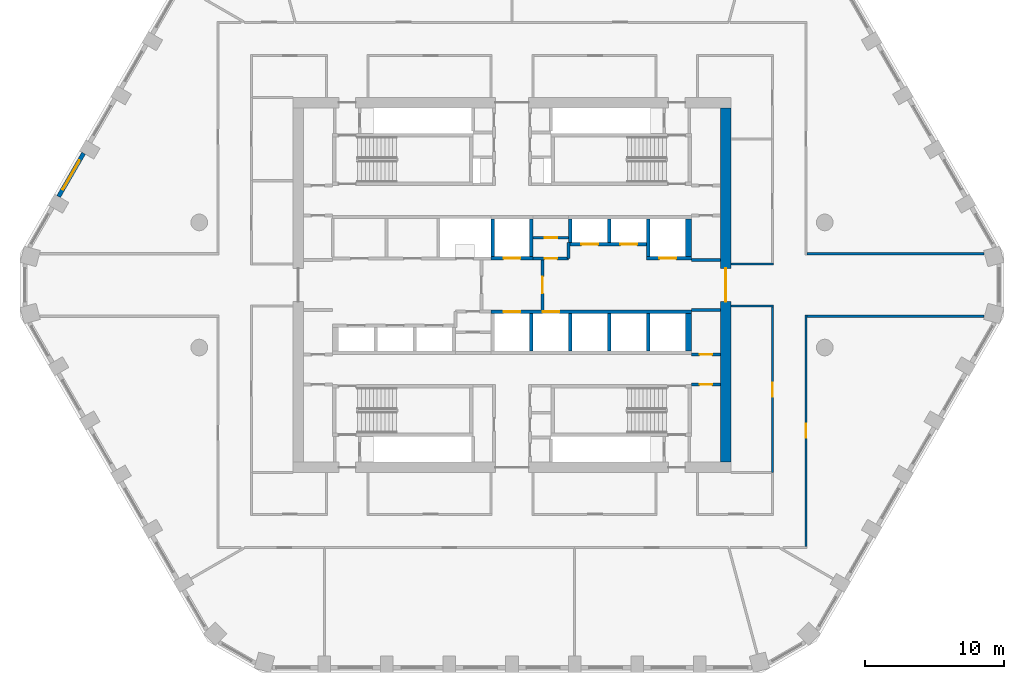
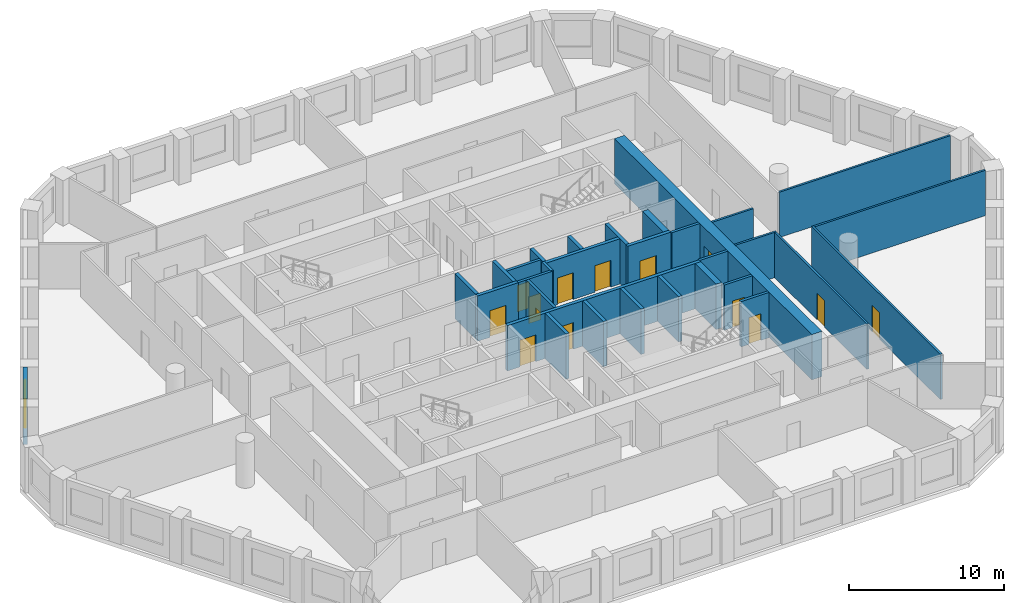
# One storey, part 5 of 10: 31 walls, 14 doors, 1 window, 15 openings.
"""IFC4 building model written with IfcOpenShell, lengths in metres."""

from ifc_helpers import new_model, si_unit, direction, frame, frame_2d, origin, place, context, subcontext, project, spatial, polyline, rectangle, outline, extrude, material, layer, layer_set, type_object, element, fill, save


model = new_model("IFC4")

# Units and contexts
model_context = context("Model", 3, precision=1e-05, world=origin(), true_north=direction((0.0, 1.0)))
body_context = subcontext(model_context, "Body", "Model", "MODEL_VIEW")
ifc_project = project(units=[si_unit("LENGTHUNIT", "METRE"), si_unit("AREAUNIT", "SQUARE_METRE"), si_unit("VOLUMEUNIT", "CUBIC_METRE"), si_unit("PLANEANGLEUNIT", "RADIAN"), si_unit("MASSUNIT", "GRAM", prefix="KILO")], contexts=[model_context])

# Site, building, storey
site_placement = place(None, origin())
site = spatial("IfcSite", under=ifc_project, at=site_placement, CompositionType="ELEMENT")
building_placement = place(site_placement, origin())
building = spatial("IfcBuilding", under=site, at=building_placement, Name="Dhurran Vertical Campus", CompositionType="ELEMENT")
storey_placement = place(building_placement, frame((0.0, 0.0, 148.199951171875)))
storey = spatial("IfcBuildingStorey", under=building, at=storey_placement, Name="L36", CompositionType="ELEMENT", Elevation=148.199951171875)

# Wall, opening, window
ifc_material_1 = material(Name="Precast concrete C50/60", Category="concrete")
ifc_layer_1 = layer(ifc_material_1, 0.300048828125)
ifc_layer_set_1 = layer_set([ifc_layer_1], Name="Precast concrete C50/60")
wall_type_1 = type_object("IfcWallType", Name="Precast spandrel wall 300", PredefinedType="SOLIDWALL", material=ifc_layer_set_1)
wall_1_placement = place(storey_placement, frame((-30.8193359375, 9.47900390625, 0.0), z_axis=(0.0, 0.0, 1.0), x_axis=(-0.500027802648, -0.866009351323, 0.0)))
wall_1 = element("IfcWall", 1, at=wall_1_placement, inside=storey, type_object=wall_type_1, Name="EW1 L36.36", PredefinedType="SOLIDWALL", context=body_context, shape_type="SweptSolid", body=[
    extrude(rectangle(XDim=3.598876953125, YDim=0.300048828125, at=frame_2d((1.79931640625, 0.0))), origin(), (0.0, 0.0, 1.0), 3.574951171875),
])
opening_1_placement = place(wall_1_placement, frame((0.599609375, 0.0, 0.89990234375)))
opening_1 = element("IfcOpeningElement", 2, at=opening_1_placement, cuts=wall_1, Name="Opening WT1", PredefinedType="OPENING", context=body_context, shape_type="SweptSolid", body=[
    extrude(rectangle(XDim=2.39990234375, YDim=2.10009765625, at=frame_2d((1.199951171875, 1.050048828125))), frame((0.0, 0.159912109375, 0.0), z_axis=(0.0, -1.0, 0.0), x_axis=(1.0, 0.0, 0.0)), (0.0, 0.0, 1.0), 0.320068359375),
])
ifc_material_2 = material(Name="Aluminium frame with solar-control glass", Category="aluminium")
window_type = type_object("IfcWindowType", Name="Punched window 2400 x 2100", PartitioningType="SINGLE_PANEL", PredefinedType="WINDOW", material=ifc_material_2)
window_placement = place(opening_1_placement, origin())
window = element("IfcWindow", 3, at=window_placement, inside=storey, type_object=window_type, Name="WT1 L36.36", OverallHeight=2.10009765625, OverallWidth=2.39990234375, PartitioningType="SINGLE_PANEL", PredefinedType="WINDOW", context=body_context, shape_type="SweptSolid", body=[
    extrude(rectangle(XDim=2.39990234375, YDim=2.10009765625, at=frame_2d((1.199951171875, 1.050048828125))), frame((0.0, 0.030029296875, 0.0), z_axis=(0.0, -1.0, 0.0), x_axis=(1.0, 0.0, 0.0)), (0.0, 0.0, 1.0), 0.06005859375),
])
fill(opening_1, window)

# Wall, opening, door
ifc_material_3 = material(Name="Concrete C60/75", Category="concrete")
ifc_layer_2 = layer(ifc_material_3, 0.75)
ifc_layer_set_2 = layer_set([ifc_layer_2], Name="Concrete C60/75")
wall_type_2 = type_object("IfcWallType", Name="co-CORE-WALL-C1-750", PredefinedType="SHEAR", material=ifc_layer_set_2)
wall_2_placement = place(storey_placement, frame((15.375, -12.75, 0.0), z_axis=(0.0, 0.0, 1.0), x_axis=(0.0, 1.0, 0.0)))
wall_2 = element("IfcWall", 4, at=wall_2_placement, inside=storey, type_object=wall_type_2, Name="Core wall E L36", PredefinedType="SHEAR", context=body_context, shape_type="SweptSolid", body=[
    extrude(rectangle(XDim=25.5, YDim=0.75, at=frame_2d((12.75, 0.0))), origin(), (0.0, 0.0, 1.0), 3.574951171875),
])
opening_2_placement = place(wall_2_placement, frame((11.550048828125, 0.0, 0.0)))
opening_2 = element("IfcOpeningElement", 5, at=opening_2_placement, cuts=wall_2, Name="Opening CL2", PredefinedType="OPENING", context=body_context, shape_type="SweptSolid", body=[
    extrude(rectangle(XDim=2.39990234375, YDim=2.10009765625, at=frame_2d((1.199951171875, 1.050048828125))), frame((0.0, 0.385009765625, 0.0), z_axis=(0.0, -1.0, 0.0), x_axis=(1.0, 0.0, 0.0)), (0.0, 0.0, 1.0), 0.77001953125),
])
ifc_material_4 = material(Name="Fire-rated glazed door set")
door_type_1 = type_object("IfcDoorType", Name="co-D-LOBBY 2400x2100", OperationType="DOUBLE_DOOR_DOUBLE_SWING", PredefinedType="DOOR", material=ifc_material_4)
door_1_placement = place(opening_2_placement, origin())
door_1 = element("IfcDoor", 6, at=door_1_placement, inside=storey, type_object=door_type_1, Name="Lift lobby door E L36", OperationType="DOUBLE_DOOR_DOUBLE_SWING", OverallHeight=2.10009765625, OverallWidth=2.39990234375, PredefinedType="DOOR", context=body_context, shape_type="SweptSolid", body=[
    extrude(rectangle(XDim=2.39990234375, YDim=2.10009765625, at=frame_2d((1.199951171875, 1.050048828125))), frame((0.0, 0.02490234375, 0.0), z_axis=(0.0, -1.0, 0.0), x_axis=(1.0, 0.0, 0.0)), (0.0, 0.0, 1.0), 0.050048828125),
])
fill(opening_2, door_1)

ifc_material_5 = material(Name="Fire-rated masonry blockwork", Category="masonry")
ifc_layer_3 = layer(ifc_material_5, 0.199951171875)
ifc_layer_set_3 = layer_set([ifc_layer_3], Name="Fire-rated masonry blockwork")
wall_type_3 = type_object("IfcWallType", Name="co-FIRE-PARTITION-200", PredefinedType="PARTITIONING", material=ifc_layer_set_3)
wall_3_placement = place(storey_placement, frame((2.199951171875, -1.800048828125, 0.0), z_axis=(0.0, 0.0, 1.0), x_axis=(0.0, 1.0, 0.0)))
wall_3 = element("IfcWall", 7, at=wall_3_placement, inside=storey, type_object=wall_type_3, Name="Firefighting lobby wall E L36", PredefinedType="PARTITIONING", context=body_context, shape_type="SweptSolid", body=[
    extrude(rectangle(XDim=3.60009765625, YDim=0.199951171875, at=frame_2d((1.800048828125, 0.0))), origin(), (0.0, 0.0, 1.0), 3.574951171875),
])
opening_3_placement = place(wall_3_placement, frame((1.199951171875, 0.0, 0.0)))
opening_3 = element("IfcOpeningElement", 8, at=opening_3_placement, cuts=wall_3, Name="Opening FL2", PredefinedType="OPENING", context=body_context, shape_type="SweptSolid", body=[
    extrude(rectangle(XDim=1.199951171875, YDim=2.10009765625, at=frame_2d((0.60009765625, 1.050048828125))), frame((0.0, 0.10986328125, 0.0), z_axis=(0.0, -1.0, 0.0), x_axis=(1.0, 0.0, 0.0)), (0.0, 0.0, 1.0), 0.219970703125),
])
ifc_material_6 = material(Name="Fire-rated steel door set", Category="steel")
door_type_2 = type_object("IfcDoorType", Name="co-D-FFLOBBY 1200x2100", OperationType="SINGLE_SWING_LEFT", PredefinedType="DOOR", material=ifc_material_6)
door_2_placement = place(opening_3_placement, origin())
door_2 = element("IfcDoor", 9, at=door_2_placement, inside=storey, type_object=door_type_2, Name="Firefighting lobby door E L36", OperationType="SINGLE_SWING_LEFT", OverallHeight=2.10009765625, OverallWidth=1.199951171875, PredefinedType="DOOR", context=body_context, shape_type="SweptSolid", body=[
    extrude(rectangle(XDim=1.199951171875, YDim=2.10009765625, at=frame_2d((0.60009765625, 1.050048828125))), frame((0.0, 0.02490234375, 0.0), z_axis=(0.0, -1.0, 0.0), x_axis=(1.0, 0.0, 0.0)), (0.0, 0.0, 1.0), 0.050048828125),
])
fill(opening_3, door_2)

# Wall
wall_4_placement = place(storey_placement, frame((12.89990234375, 1.800048828125, 0.0), z_axis=(0.0, 0.0, 1.0), x_axis=(1.0, 0.0, 0.0)))
element("IfcWall", 10, at=wall_4_placement, inside=storey, type_object=wall_type_3, Name="Core partition es-NE-l L36", PredefinedType="PARTITIONING", context=body_context, shape_type="SweptSolid", body=[
    extrude(rectangle(XDim=2.10009765625, YDim=0.199951171875, at=frame_2d((1.050048828125, 0.0))), origin(), (0.0, 0.0, 1.0), 3.574951171875),
])

# Wall, opening, door
wall_5_placement = place(storey_placement, frame((12.89990234375, -7.14990234375, 0.0), z_axis=(0.0, 0.0, 1.0), x_axis=(1.0, 0.0, 0.0)))
wall_5 = element("IfcWall", 11, at=wall_5_placement, inside=storey, type_object=wall_type_3, Name="Core partition en-SE-w L36", PredefinedType="PARTITIONING", context=body_context, shape_type="SweptSolid", body=[
    extrude(rectangle(XDim=2.10009765625, YDim=0.199951171875, at=frame_2d((1.050048828125, 0.0))), origin(), (0.0, 0.0, 1.0), 3.574951171875),
])
opening_4_placement = place(wall_5_placement, frame((0.60009765625, 0.0, 0.0)))
opening_4 = element("IfcOpeningElement", 12, at=opening_4_placement, cuts=wall_5, Name="Opening T10-C21", PredefinedType="OPENING", context=body_context, shape_type="SweptSolid", body=[
    extrude(rectangle(XDim=0.89990234375, YDim=2.10009765625, at=frame_2d((0.449951171875, 1.050048828125))), frame((0.0, 0.10986328125, 0.0), z_axis=(0.0, -1.0, 0.0), x_axis=(1.0, 0.0, 0.0)), (0.0, 0.0, 1.0), 0.219970703125),
])
ifc_material_7 = material(Name="Fire-rated timber door set", Category="wood")
door_type_3 = type_object("IfcDoorType", Name="co-D-ROOM 900x2100", OperationType="SINGLE_SWING_LEFT", PredefinedType="DOOR", material=ifc_material_7)
door_3_placement = place(opening_4_placement, origin())
door_3 = element("IfcDoor", 13, at=door_3_placement, inside=storey, type_object=door_type_3, Name="Plant room door L36", OperationType="SINGLE_SWING_LEFT", OverallHeight=2.10009765625, OverallWidth=0.89990234375, PredefinedType="DOOR", context=body_context, shape_type="SweptSolid", body=[
    extrude(rectangle(XDim=0.89990234375, YDim=2.10009765625, at=frame_2d((0.449951171875, 1.050048828125))), frame((0.0, 0.02490234375, 0.0), z_axis=(0.0, -1.0, 0.0), x_axis=(1.0, 0.0, 0.0)), (0.0, 0.0, 1.0), 0.050048828125),
])
fill(opening_4, door_3)

wall_6_placement = place(storey_placement, frame((12.89990234375, -5.0, 0.0), z_axis=(0.0, 0.0, 1.0), x_axis=(1.0, 0.0, 0.0)))
wall_6 = element("IfcWall", 14, at=wall_6_placement, inside=storey, type_object=wall_type_3, Name="Core partition es-SE-w L36", PredefinedType="PARTITIONING", context=body_context, shape_type="SweptSolid", body=[
    extrude(rectangle(XDim=2.10009765625, YDim=0.199951171875, at=frame_2d((1.050048828125, 0.0))), origin(), (0.0, 0.0, 1.0), 3.574951171875),
])
opening_5_placement = place(wall_6_placement, frame((0.60009765625, 0.0, 0.0)))
opening_5 = element("IfcOpeningElement", 15, at=opening_5_placement, cuts=wall_6, Name="Opening T10-C22", PredefinedType="OPENING", context=body_context, shape_type="SweptSolid", body=[
    extrude(rectangle(XDim=0.89990234375, YDim=2.10009765625, at=frame_2d((0.449951171875, 1.050048828125))), frame((0.0, 0.10986328125, 0.0), z_axis=(0.0, -1.0, 0.0), x_axis=(1.0, 0.0, 0.0)), (0.0, 0.0, 1.0), 0.219970703125),
])
door_4_placement = place(opening_5_placement, origin())
door_4 = element("IfcDoor", 16, at=door_4_placement, inside=storey, type_object=door_type_3, Name="Print room door L36", OperationType="SINGLE_SWING_LEFT", OverallHeight=2.10009765625, OverallWidth=0.89990234375, PredefinedType="DOOR", context=body_context, shape_type="SweptSolid", body=[
    extrude(rectangle(XDim=0.89990234375, YDim=2.10009765625, at=frame_2d((0.449951171875, 1.050048828125))), frame((0.0, 0.02490234375, 0.0), z_axis=(0.0, -1.0, 0.0), x_axis=(1.0, 0.0, 0.0)), (0.0, 0.0, 1.0), 0.050048828125),
])
fill(opening_5, door_4)

# Wall
wall_7_placement = place(storey_placement, frame((12.89990234375, -1.800048828125, 0.0), z_axis=(0.0, 0.0, 1.0), x_axis=(1.0, 0.0, 0.0)))
element("IfcWall", 17, at=wall_7_placement, inside=storey, type_object=wall_type_3, Name="Core partition es-SE-l L36", PredefinedType="PARTITIONING", context=body_context, shape_type="SweptSolid", body=[
    extrude(rectangle(XDim=2.10009765625, YDim=0.199951171875, at=frame_2d((1.050048828125, 0.0))), origin(), (0.0, 0.0, 1.0), 3.574951171875),
])

# Wall, opening, door
wall_8_placement = place(storey_placement, frame((1.52490234375, 3.39990234375, 0.0), z_axis=(0.0, 0.0, 1.0), x_axis=(1.0, 0.0, 0.0)))
wall_8 = element("IfcWall", 18, at=wall_8_placement, inside=storey, type_object=wall_type_3, Name="Core partition fr-N1-c L36", PredefinedType="PARTITIONING", context=body_context, shape_type="SweptSolid", body=[
    extrude(rectangle(XDim=2.550048828125, YDim=0.199951171875, at=frame_2d((1.27490234375, 0.0))), origin(), (0.0, 0.0, 1.0), 3.574951171875),
])
opening_6_placement = place(wall_8_placement, frame((0.824951171875, 0.0, 0.0)))
opening_6 = element("IfcOpeningElement", 19, at=opening_6_placement, cuts=wall_8, Name="Opening T10-C26", PredefinedType="OPENING", context=body_context, shape_type="SweptSolid", body=[
    extrude(rectangle(XDim=0.89990234375, YDim=2.10009765625, at=frame_2d((0.449951171875, 1.050048828125))), frame((0.0, 0.10986328125, 0.0), z_axis=(0.0, -1.0, 0.0), x_axis=(1.0, 0.0, 0.0)), (0.0, 0.0, 1.0), 0.219970703125),
])
door_5_placement = place(opening_6_placement, origin())
door_5 = element("IfcDoor", 20, at=door_5_placement, inside=storey, type_object=door_type_3, Name="Housekeeping store door L36", OperationType="SINGLE_SWING_LEFT", OverallHeight=2.10009765625, OverallWidth=0.89990234375, PredefinedType="DOOR", context=body_context, shape_type="SweptSolid", body=[
    extrude(rectangle(XDim=0.89990234375, YDim=2.10009765625, at=frame_2d((0.449951171875, 1.050048828125))), frame((0.0, 0.02490234375, 0.0), z_axis=(0.0, -1.0, 0.0), x_axis=(1.0, 0.0, 0.0)), (0.0, 0.0, 1.0), 0.050048828125),
])
fill(opening_6, door_5)

wall_9_placement = place(storey_placement, frame((1.52490234375, 1.89990234375, 0.0), z_axis=(0.0, 0.0, 1.0), x_axis=(1.0, 0.0, 0.0)))
wall_9 = element("IfcWall", 21, at=wall_9_placement, inside=storey, type_object=wall_type_3, Name="Core partition fr-N1-f L36", PredefinedType="PARTITIONING", context=body_context, shape_type="SweptSolid", body=[
    extrude(rectangle(XDim=2.550048828125, YDim=0.199951171875, at=frame_2d((1.27490234375, 0.0))), origin(), (0.0, 0.0, 1.0), 3.574951171875),
])
opening_7_placement = place(wall_9_placement, frame((0.824951171875, 0.0, 0.0)))
opening_7 = element("IfcOpeningElement", 22, at=opening_7_placement, cuts=wall_9, Name="Opening T10-C27", PredefinedType="OPENING", context=body_context, shape_type="SweptSolid", body=[
    extrude(rectangle(XDim=0.89990234375, YDim=2.10009765625, at=frame_2d((0.449951171875, 1.050048828125))), frame((0.0, 0.10986328125, 0.0), z_axis=(0.0, -1.0, 0.0), x_axis=(1.0, 0.0, 0.0)), (0.0, 0.0, 1.0), 0.219970703125),
])
door_6_placement = place(opening_7_placement, origin())
door_6 = element("IfcDoor", 23, at=door_6_placement, inside=storey, type_object=door_type_3, Name="Pantry door L36", OperationType="SINGLE_SWING_LEFT", OverallHeight=2.10009765625, OverallWidth=0.89990234375, PredefinedType="DOOR", context=body_context, shape_type="SweptSolid", body=[
    extrude(rectangle(XDim=0.89990234375, YDim=2.10009765625, at=frame_2d((0.449951171875, 1.050048828125))), frame((0.0, 0.02490234375, 0.0), z_axis=(0.0, -1.0, 0.0), x_axis=(1.0, 0.0, 0.0)), (0.0, 0.0, 1.0), 0.050048828125),
])
fill(opening_7, door_6)

# Wall
wall_10_placement = place(storey_placement, frame((4.074951171875, 1.89990234375, 0.0), z_axis=(0.0, 0.0, 1.0), x_axis=(0.0, 1.0, 0.0)))
element("IfcWall", 24, at=wall_10_placement, inside=storey, type_object=wall_type_3, Name="Core partition fr-N1-n1 L36", PredefinedType="PARTITIONING", context=body_context, shape_type="SweptSolid", body=[
    extrude(rectangle(XDim=1.150146484375, YDim=0.199951171875, at=frame_2d((0.5751953125, 0.0))), origin(), (0.0, 0.0, 1.0), 3.574951171875),
])

# Wall, opening, door
ifc_material_8 = material(Name="Concrete C50/60", Category="concrete")
ifc_layer_4 = layer(ifc_material_8, 0.25)
ifc_layer_set_4 = layer_set([ifc_layer_4], Name="Concrete C50/60")
wall_type_4 = type_object("IfcWallType", Name="co-SHAFT-FRONT-250", PredefinedType="SHEAR", material=ifc_layer_set_4)
wall_11_placement = place(storey_placement, frame((-1.52490234375, 1.925048828125, 0.0), z_axis=(0.0, 0.0, 1.0), x_axis=(1.0, 0.0, 0.0)))
wall_11 = element("IfcWall", 25, at=wall_11_placement, inside=storey, type_object=wall_type_4, Name="Lift landing wall N L36", PredefinedType="SHEAR", context=body_context, shape_type="SweptSolid", body=[
    extrude(rectangle(XDim=3.0498046875, YDim=0.25, at=frame_2d((1.52490234375, 0.0))), origin(), (0.0, 0.0, 1.0), 3.574951171875),
])
opening_8_placement = place(wall_11_placement, frame((0.925048828125, 0.0, 0.0)))
opening_8 = element("IfcOpeningElement", 26, at=opening_8_placement, cuts=wall_11, Name="Opening LD", PredefinedType="OPENING", context=body_context, shape_type="SweptSolid", body=[
    extrude(rectangle(XDim=1.199951171875, YDim=2.10009765625, at=frame_2d((0.60009765625, 1.050048828125))), frame((0.0, 0.135009765625, 0.0), z_axis=(0.0, -1.0, 0.0), x_axis=(1.0, 0.0, 0.0)), (0.0, 0.0, 1.0), 0.27001953125),
])
ifc_material_9 = material(Name="Stainless steel landing door", Category="steel")
door_type_4 = type_object("IfcDoorType", Name="co-D-LANDING 1200x2100", OperationType="DOUBLE_DOOR_SLIDING", PredefinedType="DOOR", material=ifc_material_9)
door_7_placement = place(opening_8_placement, origin())
door_7 = element("IfcDoor", 27, at=door_7_placement, inside=storey, type_object=door_type_4, Name="Landing door FF1 L36", OperationType="DOUBLE_DOOR_SLIDING", OverallHeight=2.10009765625, OverallWidth=1.199951171875, PredefinedType="DOOR", context=body_context, shape_type="SweptSolid", body=[
    extrude(rectangle(XDim=1.199951171875, YDim=2.10009765625, at=frame_2d((0.60009765625, 1.050048828125))), frame((0.0, 0.02490234375, 0.0), z_axis=(0.0, -1.0, 0.0), x_axis=(1.0, 0.0, 0.0)), (0.0, 0.0, 1.0), 0.050048828125),
])
fill(opening_8, door_7)

# Wall, openings, doors
wall_12_placement = place(storey_placement, frame((4.074951171875, 2.925048828125, 0.0), z_axis=(0.0, 0.0, 1.0), x_axis=(1.0, 0.0, 0.0)))
wall_12 = element("IfcWall", 28, at=wall_12_placement, inside=storey, type_object=wall_type_4, Name="Lift landing wall N L36", PredefinedType="SHEAR", context=body_context, shape_type="SweptSolid", body=[
    extrude(rectangle(XDim=5.85009765625, YDim=0.25, at=frame_2d((2.925048828125, 0.0))), origin(), (0.0, 0.0, 1.0), 3.574951171875),
])
opening_9_placement = place(wall_12_placement, frame((0.925048828125, 0.0, 0.0)))
opening_9 = element("IfcOpeningElement", 29, at=opening_9_placement, cuts=wall_12, Name="Opening LD", PredefinedType="OPENING", context=body_context, shape_type="SweptSolid", body=[
    extrude(rectangle(XDim=1.199951171875, YDim=2.10009765625, at=frame_2d((0.60009765625, 1.050048828125))), frame((0.0, 0.135009765625, 0.0), z_axis=(0.0, -1.0, 0.0), x_axis=(1.0, 0.0, 0.0)), (0.0, 0.0, 1.0), 0.27001953125),
])
opening_10_placement = place(wall_12_placement, frame((3.72509765625, 0.0, 0.0)))
opening_10 = element("IfcOpeningElement", 30, at=opening_10_placement, cuts=wall_12, Name="Opening LD", PredefinedType="OPENING", context=body_context, shape_type="SweptSolid", body=[
    extrude(rectangle(XDim=1.199951171875, YDim=2.10009765625, at=frame_2d((0.60009765625, 1.050048828125))), frame((0.0, 0.135009765625, 0.0), z_axis=(0.0, -1.0, 0.0), x_axis=(1.0, 0.0, 0.0)), (0.0, 0.0, 1.0), 0.27001953125),
])
door_8_placement = place(opening_9_placement, origin())
door_8 = element("IfcDoor", 31, at=door_8_placement, inside=storey, type_object=door_type_4, Name="Landing door MR1 L36", OperationType="DOUBLE_DOOR_SLIDING", OverallHeight=2.10009765625, OverallWidth=1.199951171875, PredefinedType="DOOR", context=body_context, shape_type="SweptSolid", body=[
    extrude(rectangle(XDim=1.199951171875, YDim=2.10009765625, at=frame_2d((0.60009765625, 1.050048828125))), frame((0.0, 0.02490234375, 0.0), z_axis=(0.0, -1.0, 0.0), x_axis=(1.0, 0.0, 0.0)), (0.0, 0.0, 1.0), 0.050048828125),
])
fill(opening_9, door_8)
door_9_placement = place(opening_10_placement, origin())
door_9 = element("IfcDoor", 32, at=door_9_placement, inside=storey, type_object=door_type_4, Name="Landing door MR2 L36", OperationType="DOUBLE_DOOR_SLIDING", OverallHeight=2.10009765625, OverallWidth=1.199951171875, PredefinedType="DOOR", context=body_context, shape_type="SweptSolid", body=[
    extrude(rectangle(XDim=1.199951171875, YDim=2.10009765625, at=frame_2d((0.60009765625, 1.050048828125))), frame((0.0, 0.02490234375, 0.0), z_axis=(0.0, -1.0, 0.0), x_axis=(1.0, 0.0, 0.0)), (0.0, 0.0, 1.0), 0.050048828125),
])
fill(opening_10, door_9)

# Wall, opening, door
wall_13_placement = place(storey_placement, frame((9.675048828125, 1.925048828125, 0.0), z_axis=(0.0, 0.0, 1.0), x_axis=(1.0, 0.0, 0.0)))
wall_13 = element("IfcWall", 33, at=wall_13_placement, inside=storey, type_object=wall_type_4, Name="Lift landing wall N L36", PredefinedType="SHEAR", context=body_context, shape_type="SweptSolid", body=[
    extrude(rectangle(XDim=3.224853515625, YDim=0.25, at=frame_2d((1.6123046875, 0.0))), origin(), (0.0, 0.0, 1.0), 3.574951171875),
])
opening_11_placement = place(wall_13_placement, frame((0.925048828125, 0.0, 0.0)))
opening_11 = element("IfcOpeningElement", 34, at=opening_11_placement, cuts=wall_13, Name="Opening LD", PredefinedType="OPENING", context=body_context, shape_type="SweptSolid", body=[
    extrude(rectangle(XDim=1.199951171875, YDim=2.10009765625, at=frame_2d((0.60009765625, 1.050048828125))), frame((0.0, 0.135009765625, 0.0), z_axis=(0.0, -1.0, 0.0), x_axis=(1.0, 0.0, 0.0)), (0.0, 0.0, 1.0), 0.27001953125),
])
door_10_placement = place(opening_11_placement, origin())
door_10 = element("IfcDoor", 35, at=door_10_placement, inside=storey, type_object=door_type_4, Name="Landing door SV2 L36", OperationType="DOUBLE_DOOR_SLIDING", OverallHeight=2.10009765625, OverallWidth=1.199951171875, PredefinedType="DOOR", context=body_context, shape_type="SweptSolid", body=[
    extrude(rectangle(XDim=1.199951171875, YDim=2.10009765625, at=frame_2d((0.60009765625, 1.050048828125))), frame((0.0, 0.02490234375, 0.0), z_axis=(0.0, -1.0, 0.0), x_axis=(1.0, 0.0, 0.0)), (0.0, 0.0, 1.0), 0.050048828125),
])
fill(opening_11, door_10)

# Wall, openings, doors
wall_14_placement = place(storey_placement, frame((-1.52490234375, -1.925048828125, 0.0), z_axis=(0.0, 0.0, 1.0), x_axis=(1.0, 0.0, 0.0)))
wall_14 = element("IfcWall", 36, at=wall_14_placement, inside=storey, type_object=wall_type_4, Name="Lift landing wall S L36", PredefinedType="SHEAR", context=body_context, shape_type="SweptSolid", body=[
    extrude(rectangle(XDim=14.4248046875, YDim=0.25, at=frame_2d((7.21240234375, 0.0))), origin(), (0.0, 0.0, 1.0), 3.574951171875),
])
opening_12_placement = place(wall_14_placement, frame((0.925048828125, 0.0, 0.0)))
opening_12 = element("IfcOpeningElement", 37, at=opening_12_placement, cuts=wall_14, Name="Opening LD", PredefinedType="OPENING", context=body_context, shape_type="SweptSolid", body=[
    extrude(rectangle(XDim=1.199951171875, YDim=2.10009765625, at=frame_2d((0.60009765625, 1.050048828125))), frame((0.0, 0.135009765625, 0.0), z_axis=(0.0, -1.0, 0.0), x_axis=(1.0, 0.0, 0.0)), (0.0, 0.0, 1.0), 0.27001953125),
])
opening_13_placement = place(wall_14_placement, frame((3.72509765625, 0.0, 0.0)))
opening_13 = element("IfcOpeningElement", 38, at=opening_13_placement, cuts=wall_14, Name="Opening LD", PredefinedType="OPENING", context=body_context, shape_type="SweptSolid", body=[
    extrude(rectangle(XDim=1.199951171875, YDim=2.10009765625, at=frame_2d((0.60009765625, 1.050048828125))), frame((0.0, 0.135009765625, 0.0), z_axis=(0.0, -1.0, 0.0), x_axis=(1.0, 0.0, 0.0)), (0.0, 0.0, 1.0), 0.27001953125),
])
door_11_placement = place(opening_12_placement, origin())
door_11 = element("IfcDoor", 39, at=door_11_placement, inside=storey, type_object=door_type_4, Name="Landing door FF2 L36", OperationType="DOUBLE_DOOR_SLIDING", OverallHeight=2.10009765625, OverallWidth=1.199951171875, PredefinedType="DOOR", context=body_context, shape_type="SweptSolid", body=[
    extrude(rectangle(XDim=1.199951171875, YDim=2.10009765625, at=frame_2d((0.60009765625, 1.050048828125))), frame((0.0, 0.02490234375, 0.0), z_axis=(0.0, -1.0, 0.0), x_axis=(1.0, 0.0, 0.0)), (0.0, 0.0, 1.0), 0.050048828125),
])
fill(opening_12, door_11)
door_12_placement = place(opening_13_placement, origin())
door_12 = element("IfcDoor", 40, at=door_12_placement, inside=storey, type_object=door_type_4, Name="Landing door SV1 L36", OperationType="DOUBLE_DOOR_SLIDING", OverallHeight=2.10009765625, OverallWidth=1.199951171875, PredefinedType="DOOR", context=body_context, shape_type="SweptSolid", body=[
    extrude(rectangle(XDim=1.199951171875, YDim=2.10009765625, at=frame_2d((0.60009765625, 1.050048828125))), frame((0.0, 0.02490234375, 0.0), z_axis=(0.0, -1.0, 0.0), x_axis=(1.0, 0.0, 0.0)), (0.0, 0.0, 1.0), 0.050048828125),
])
fill(opening_13, door_12)

# Walls
ifc_material_10 = material(Name="Concrete C50/60", Category="concrete")
ifc_layer_5 = layer(ifc_material_10, 0.25)
ifc_layer_set_5 = layer_set([ifc_layer_5], Name="Concrete C50/60")
wall_type_5 = type_object("IfcWallType", Name="co-SHAFT-MASS-250", PredefinedType="SHEAR", material=ifc_layer_set_5)
wall_15_placement = place(storey_placement, origin())
element("IfcWall", 41, at=wall_15_placement, inside=storey, type_object=wall_type_5, Name="Lift shaft wall N L36 3", PredefinedType="SHEAR", context=body_context, shape_type="SweptSolid", body=[
    extrude(outline(polyline([(-1.52490234375, 2.050048828125), (-1.27490234375, 2.050048828125), (-1.27490234375, 4.75), (-1.52490234375, 4.75), (-1.52490234375, 2.050048828125)])), origin(), (0.0, 0.0, 1.0), 3.574951171875),
])
wall_16_placement = place(storey_placement, origin())
element("IfcWall", 42, at=wall_16_placement, inside=storey, type_object=wall_type_5, Name="Lift shaft wall N L36 4", PredefinedType="SHEAR", context=body_context, shape_type="SweptSolid", body=[
    extrude(outline(polyline([(1.27490234375, 2.050048828125), (1.52490234375, 2.050048828125), (1.52490234375, 4.75), (1.27490234375, 4.75), (1.27490234375, 2.050048828125)])), origin(), (0.0, 0.0, 1.0), 3.574951171875),
])
wall_17_placement = place(storey_placement, origin())
element("IfcWall", 43, at=wall_17_placement, inside=storey, type_object=wall_type_5, Name="Lift shaft wall N L36 5", PredefinedType="SHEAR", context=body_context, shape_type="SweptSolid", body=[
    extrude(outline(polyline([(9.675048828125, 2.050048828125), (9.925048828125, 2.050048828125), (9.925048828125, 4.75), (9.675048828125, 4.75), (9.675048828125, 2.050048828125)])), origin(), (0.0, 0.0, 1.0), 3.574951171875),
])
wall_18_placement = place(storey_placement, origin())
element("IfcWall", 44, at=wall_18_placement, inside=storey, type_object=wall_type_5, Name="Lift shaft wall N L36 6", PredefinedType="SHEAR", context=body_context, shape_type="SweptSolid", body=[
    extrude(outline(polyline([(12.47509765625, 2.050048828125), (12.89990234375, 2.050048828125), (12.89990234375, 4.75), (12.47509765625, 4.75), (12.47509765625, 2.050048828125)])), origin(), (0.0, 0.0, 1.0), 3.574951171875),
])
wall_19_placement = place(storey_placement, origin())
element("IfcWall", 45, at=wall_19_placement, inside=storey, type_object=wall_type_5, Name="Lift shaft wall N L36 7", PredefinedType="SHEAR", context=body_context, shape_type="SweptSolid", body=[
    extrude(outline(polyline([(4.074951171875, 3.050048828125), (4.324951171875, 3.050048828125), (4.324951171875, 4.75), (4.074951171875, 4.75), (4.074951171875, 3.050048828125)])), origin(), (0.0, 0.0, 1.0), 3.574951171875),
])
wall_20_placement = place(storey_placement, origin())
element("IfcWall", 46, at=wall_20_placement, inside=storey, type_object=wall_type_5, Name="Lift shaft wall N L36 8", PredefinedType="SHEAR", context=body_context, shape_type="SweptSolid", body=[
    extrude(outline(polyline([(6.875, 3.050048828125), (7.125, 3.050048828125), (7.125, 4.75), (6.875, 4.75), (6.875, 3.050048828125)])), origin(), (0.0, 0.0, 1.0), 3.574951171875),
])
wall_21_placement = place(storey_placement, origin())
element("IfcWall", 47, at=wall_21_placement, inside=storey, type_object=wall_type_5, Name="Lift shaft wall S L36 8", PredefinedType="SHEAR", context=body_context, shape_type="SweptSolid", body=[
    extrude(outline(polyline([(1.27490234375, -4.75), (1.52490234375, -4.75), (1.52490234375, -2.050048828125), (1.27490234375, -2.050048828125), (1.27490234375, -4.75)])), origin(), (0.0, 0.0, 1.0), 3.574951171875),
])
wall_22_placement = place(storey_placement, origin())
element("IfcWall", 48, at=wall_22_placement, inside=storey, type_object=wall_type_5, Name="Lift shaft wall S L36 9", PredefinedType="SHEAR", context=body_context, shape_type="SweptSolid", body=[
    extrude(outline(polyline([(4.074951171875, -4.75), (4.324951171875, -4.75), (4.324951171875, -2.050048828125), (4.074951171875, -2.050048828125), (4.074951171875, -4.75)])), origin(), (0.0, 0.0, 1.0), 3.574951171875),
])
wall_23_placement = place(storey_placement, origin())
element("IfcWall", 49, at=wall_23_placement, inside=storey, type_object=wall_type_5, Name="Lift shaft wall S L36 10", PredefinedType="SHEAR", context=body_context, shape_type="SweptSolid", body=[
    extrude(outline(polyline([(6.875, -4.75), (7.125, -4.75), (7.125, -2.050048828125), (6.875, -2.050048828125), (6.875, -4.75)])), origin(), (0.0, 0.0, 1.0), 3.574951171875),
])
wall_24_placement = place(storey_placement, origin())
element("IfcWall", 50, at=wall_24_placement, inside=storey, type_object=wall_type_5, Name="Lift shaft wall S L36 11", PredefinedType="SHEAR", context=body_context, shape_type="SweptSolid", body=[
    extrude(outline(polyline([(9.675048828125, -4.75), (9.925048828125, -4.75), (9.925048828125, -2.050048828125), (9.675048828125, -2.050048828125), (9.675048828125, -4.75)])), origin(), (0.0, 0.0, 1.0), 3.574951171875),
])
wall_25_placement = place(storey_placement, origin())
element("IfcWall", 51, at=wall_25_placement, inside=storey, type_object=wall_type_5, Name="Lift shaft wall S L36 12", PredefinedType="SHEAR", context=body_context, shape_type="SweptSolid", body=[
    extrude(outline(polyline([(12.47509765625, -4.75), (12.89990234375, -4.75), (12.89990234375, -2.050048828125), (12.47509765625, -2.050048828125), (12.47509765625, -4.75)])), origin(), (0.0, 0.0, 1.0), 3.574951171875),
])
ifc_material_11 = material(Name="Gypsum board corridor wall on steel studs", Category="steel")
ifc_layer_6 = layer(ifc_material_11, 0.14990234375)
ifc_layer_set_6 = layer_set([ifc_layer_6], Name="Gypsum board corridor wall on steel studs")
wall_type_6 = type_object("IfcWallType", Name="fl-CW-150 corridor wall", PredefinedType="PARTITIONING", material=ifc_layer_set_6)
for number, where, z_axis, x_axis, name in (
    (52, (15.75, -1.5, 0.0), (0.0, 0.0, 1.0), (1.0, 0.0, 0.0), "Partition 36-54"),
    (53, (18.824951171875, 1.5, 0.0), (0.0, 0.0, 1.0), (-1.0, 0.0, 0.0), "Partition 36-55"),
):
    element("IfcWall", number, at=place(storey_placement, frame(where, z_axis=z_axis, x_axis=x_axis)), inside=storey, type_object=wall_type_6, Name=name, PredefinedType="PARTITIONING", context=body_context, shape_type="SweptSolid", body=[
        extrude(rectangle(XDim=3.074951171875, YDim=0.14990234375, at=frame_2d((1.53759765625, 0.0))), origin(), (0.0, 0.0, 1.0), 3.574951171875),
    ])

# Wall, opening, door
wall_26_placement = place(storey_placement, frame((18.75, -1.574951171875, 0.0), z_axis=(0.0, 0.0, 1.0), x_axis=(0.0, -1.0, 0.0)))
wall_26 = element("IfcWall", 54, at=wall_26_placement, inside=storey, type_object=wall_type_6, Name="Partition 36-58", PredefinedType="PARTITIONING", context=body_context, shape_type="SweptSolid", body=[
    extrude(rectangle(XDim=11.925048828125, YDim=0.14990234375, at=frame_2d((5.96240234375, 0.0))), origin(), (0.0, 0.0, 1.0), 3.574951171875),
])
opening_14_placement = place(wall_26_placement, frame((5.46240234375, 0.0, 0.0)))
opening_14 = element("IfcOpeningElement", 55, at=opening_14_placement, cuts=wall_26, Name="Opening T10.20", PredefinedType="OPENING", context=body_context, shape_type="SweptSolid", body=[
    extrude(rectangle(XDim=1.0, YDim=2.10009765625, at=frame_2d((0.5, 1.050048828125))), frame((0.0, 0.0849609375, 0.0), z_axis=(0.0, -1.0, 0.0), x_axis=(1.0, 0.0, 0.0)), (0.0, 0.0, 1.0), 0.169921875),
])
ifc_material_12 = material(Name="Solid-core timber door set, fire-rated", Category="wood")
door_type_5 = type_object("IfcDoorType", Name="fl-D-1000x2100", OperationType="SINGLE_SWING_LEFT", PredefinedType="DOOR", material=ifc_material_12)
door_13_placement = place(opening_14_placement, origin())
door_13 = element("IfcDoor", 56, at=door_13_placement, inside=storey, type_object=door_type_5, Name="Door 36.20", OperationType="SINGLE_SWING_LEFT", OverallHeight=2.10009765625, OverallWidth=1.0, PredefinedType="DOOR", context=body_context, shape_type="SweptSolid", body=[
    extrude(rectangle(XDim=1.0, YDim=2.10009765625, at=frame_2d((0.5, 1.050048828125))), frame((0.0, 0.02490234375, 0.0), z_axis=(0.0, -1.0, 0.0), x_axis=(1.0, 0.0, 0.0)), (0.0, 0.0, 1.0), 0.050048828125),
])
fill(opening_14, door_13)

wall_27_placement = place(storey_placement, frame((21.14990234375, -18.824951171875, 0.0), z_axis=(0.0, 0.0, 1.0), x_axis=(0.0, 1.0, 0.0)))
wall_27 = element("IfcWall", 57, at=wall_27_placement, inside=storey, type_object=wall_type_6, Name="Partition 36-63", PredefinedType="PARTITIONING", context=body_context, shape_type="SweptSolid", body=[
    extrude(rectangle(XDim=16.64990234375, YDim=0.14990234375, at=frame_2d((8.324951171875, 0.0))), origin(), (0.0, 0.0, 1.0), 3.574951171875),
])
opening_15_placement = place(wall_27_placement, frame((7.824951171875, 0.0, 0.0)))
opening_15 = element("IfcOpeningElement", 58, at=opening_15_placement, cuts=wall_27, Name="Opening T10.24", PredefinedType="OPENING", context=body_context, shape_type="SweptSolid", body=[
    extrude(rectangle(XDim=1.0, YDim=2.10009765625, at=frame_2d((0.5, 1.050048828125))), frame((0.0, 0.0849609375, 0.0), z_axis=(0.0, -1.0, 0.0), x_axis=(1.0, 0.0, 0.0)), (0.0, 0.0, 1.0), 0.169921875),
])
door_14_placement = place(opening_15_placement, origin())
door_14 = element("IfcDoor", 59, at=door_14_placement, inside=storey, type_object=door_type_5, Name="Door 36.24", OperationType="SINGLE_SWING_RIGHT", OverallHeight=2.10009765625, OverallWidth=1.0, PredefinedType="DOOR", context=body_context, shape_type="SweptSolid", body=[
    extrude(rectangle(XDim=1.0, YDim=2.10009765625, at=frame_2d((0.5, 1.050048828125))), frame((0.0, 0.02490234375, 0.0), z_axis=(0.0, -1.0, 0.0), x_axis=(1.0, 0.0, 0.0)), (0.0, 0.0, 1.0), 0.050048828125),
])
fill(opening_15, door_14)

# Walls
for number, where, z_axis, x_axis, name in (
    (60, (33.9677734375, -2.25, 0.0), (0.0, 0.0, 1.0), (-1.0, 0.0, 0.0), "Partition 36-64"),
    (61, (21.22509765625, 2.25, 0.0), (0.0, 0.0, 1.0), (1.0, 0.0, 0.0), "Partition 36-66"),
):
    element("IfcWall", number, at=place(storey_placement, frame(where, z_axis=z_axis, x_axis=x_axis)), inside=storey, type_object=wall_type_6, Name=name, PredefinedType="PARTITIONING", context=body_context, shape_type="SweptSolid", body=[
        extrude(rectangle(XDim=12.74267578125, YDim=0.14990234375, at=frame_2d((6.371337890625, 0.0))), origin(), (0.0, 0.0, 1.0), 3.574951171875),
    ])

save(model, "model.ifc")
